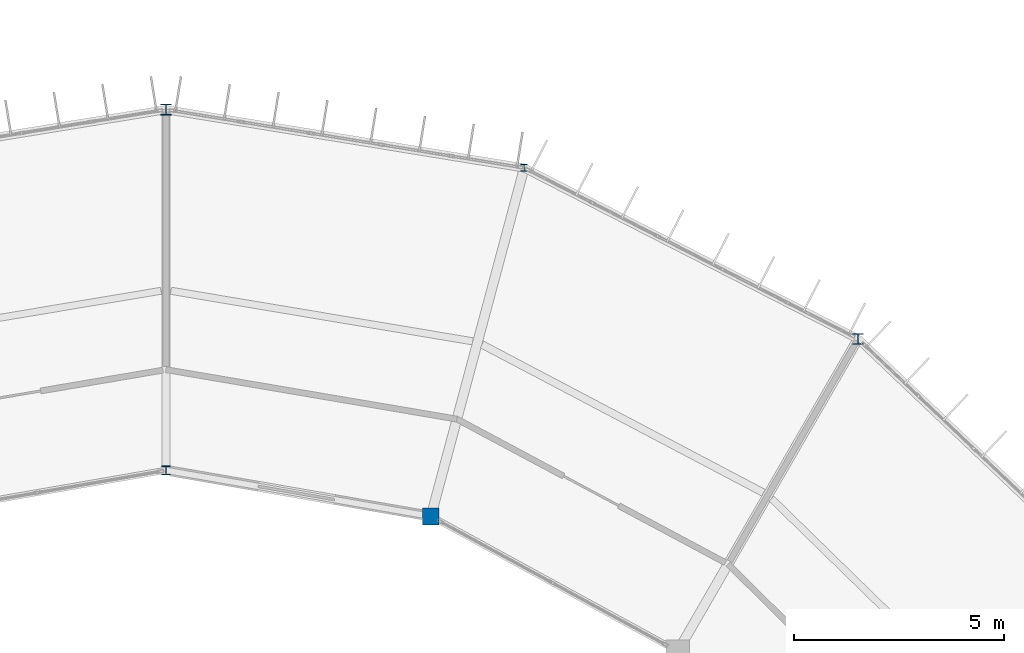
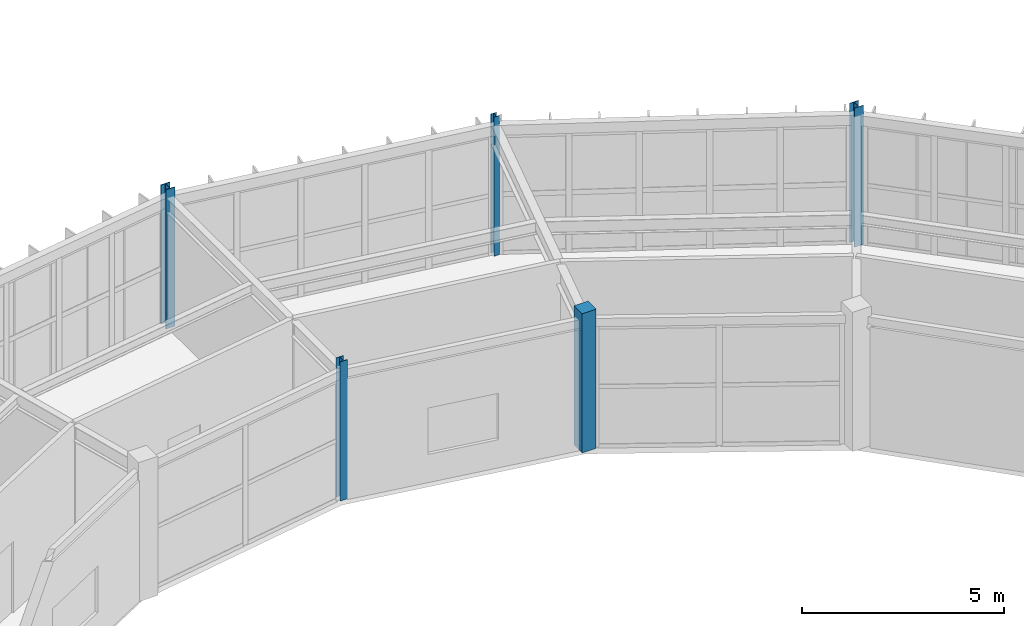
# One storey, part 17 of 130: 5 columns.
"""IFC4 building model written with IfcOpenShell, lengths in metres."""

from ifc_helpers import new_model, si_unit, direction, frame, origin, origin_2d, place, context, subcontext, project, spatial, rectangle, i_section, extrude, material, material_profile, profile_set, type_object, element, save


model = new_model("IFC4")

# Units and contexts
model_context = context("Model", 3, precision=1e-05, world=origin(), true_north=direction((0.0, 1.0)))
body_context = subcontext(model_context, "Body", "Model", "MODEL_VIEW")
ifc_project = project(units=[si_unit("LENGTHUNIT", "METRE"), si_unit("AREAUNIT", "SQUARE_METRE"), si_unit("VOLUMEUNIT", "CUBIC_METRE"), si_unit("PLANEANGLEUNIT", "RADIAN"), si_unit("MASSUNIT", "GRAM", prefix="KILO")], contexts=[model_context])

# Site, building, storey
site_placement = place(None, origin())
site = spatial("IfcSite", under=ifc_project, at=site_placement, CompositionType="ELEMENT")
building_placement = place(site_placement, origin())
building = spatial("IfcBuilding", under=site, at=building_placement, Name="Karori Crest Natural Sciences Institute", CompositionType="ELEMENT")
storey_placement = place(building_placement, frame((0.0, 0.0, 17.5)))
storey = spatial("IfcBuildingStorey", under=building, at=storey_placement, Name="L04", CompositionType="ELEMENT", Elevation=17.5)

# Columns
ifc_material_1 = material(Name="Structural steel AS/NZS 3679.1 Grade 350", Category="steel")
ifc_material_profile_1 = material_profile(ifc_material_1, i_section(OverallWidth=0.256103515625, OverallDepth=0.260009765625, WebThickness=0.010498046875, FlangeThickness=0.017333984375, FilletRadius=0.013916015625, at=origin_2d()), Name="250UC89.5")
ifc_profile_set_1 = profile_set([ifc_material_profile_1], Name="Structural steel AS/NZS 3679.1 Grade 350")
column_type_1 = type_object("IfcColumnType", Name="CT-06", PredefinedType="COLUMN", material=ifc_profile_set_1)
column_1_placement = place(storey_placement, frame((66.39990234375, 90.699951171875, 0.0), z_axis=(0.0, 0.0, 1.0), x_axis=(1.0, 0.0, 0.0)))
element("IfcColumn", 1, at=column_1_placement, inside=storey, type_object=column_type_1, Name="Column C-0119", PredefinedType="COLUMN", context=body_context, shape_type="SweptSolid", body=[
    extrude(i_section(OverallWidth=0.256103515625, OverallDepth=0.260009765625, WebThickness=0.010498046875, FlangeThickness=0.017333984375, FilletRadius=0.013916015625, at=origin_2d()), origin(), (0.0, 0.0, 1.0), 4.199951171875),
])
ifc_material_profile_2 = material_profile(ifc_material_1, i_section(OverallWidth=0.25390625, OverallDepth=0.25390625, WebThickness=0.008544921875, FlangeThickness=0.01416015625, FilletRadius=0.013916015625, at=origin_2d()), Name="250UC72.9")
ifc_profile_set_2 = profile_set([ifc_material_profile_2], Name="Structural steel AS/NZS 3679.1 Grade 350")
column_type_2 = type_object("IfcColumnType", Name="CT-07", PredefinedType="COLUMN", material=ifc_profile_set_2)
column_2_placement = place(storey_placement, frame((82.89990234375, 85.23388671875, 0.0), z_axis=(0.0, 0.0, 1.0), x_axis=(1.0, 0.0, 0.0)))
element("IfcColumn", 2, at=column_2_placement, inside=storey, type_object=column_type_2, Name="Column C-0083", PredefinedType="COLUMN", context=body_context, shape_type="SweptSolid", body=[
    extrude(i_section(OverallWidth=0.25390625, OverallDepth=0.25390625, WebThickness=0.008544921875, FlangeThickness=0.01416015625, FilletRadius=0.013916015625, at=origin_2d()), origin(), (0.0, 0.0, 1.0), 4.199951171875),
])
ifc_material_profile_3 = material_profile(ifc_material_1, i_section(OverallWidth=0.205078125, OverallDepth=0.2099609375, WebThickness=0.00927734375, FlangeThickness=0.01416015625, FilletRadius=0.010986328125, at=origin_2d()), Name="200UC59.5")
ifc_profile_set_3 = profile_set([ifc_material_profile_3], Name="Structural steel AS/NZS 3679.1 Grade 350")
column_type_3 = type_object("IfcColumnType", Name="CT-08", PredefinedType="COLUMN", material=ifc_profile_set_3)
column_3_placement = place(storey_placement, frame((66.39990234375, 82.10009765625, 0.0), z_axis=(0.0, 0.0, 1.0), x_axis=(1.0, 0.0, 0.0)))
element("IfcColumn", 3, at=column_3_placement, inside=storey, type_object=column_type_3, Name="Column C-0120", PredefinedType="COLUMN", context=body_context, shape_type="SweptSolid", body=[
    extrude(i_section(OverallWidth=0.205078125, OverallDepth=0.2099609375, WebThickness=0.00927734375, FlangeThickness=0.01416015625, FilletRadius=0.010986328125, at=origin_2d()), origin(), (0.0, 0.0, 1.0), 4.199951171875),
])
ifc_material_profile_4 = material_profile(ifc_material_1, i_section(OverallWidth=0.154052734375, OverallDepth=0.162109375, WebThickness=0.008056640625, FlangeThickness=0.011474609375, FilletRadius=0.009033203125, at=origin_2d()), Name="150UC37.2")
ifc_profile_set_4 = profile_set([ifc_material_profile_4], Name="Structural steel AS/NZS 3679.1 Grade 350")
column_type_4 = type_object("IfcColumnType", Name="CT-26", PredefinedType="COLUMN", material=ifc_profile_set_4)
column_4_placement = place(storey_placement, frame((74.94091796875, 89.309814453125, 0.0), z_axis=(0.0, 0.0, 1.0), x_axis=(1.0, 0.0, 0.0)))
element("IfcColumn", 4, at=column_4_placement, inside=storey, type_object=column_type_4, Name="Column C-0101", PredefinedType="COLUMN", context=body_context, shape_type="SweptSolid", body=[
    extrude(i_section(OverallWidth=0.154052734375, OverallDepth=0.162109375, WebThickness=0.008056640625, FlangeThickness=0.011474609375, FilletRadius=0.009033203125, at=origin_2d()), origin(), (0.0, 0.0, 1.0), 4.199951171875),
])
ifc_material_2 = material(Name="Concrete 50 MPa", Category="concrete")
ifc_material_profile_5 = material_profile(ifc_material_2, rectangle(XDim=0.39990234375, YDim=0.39990234375, at=origin_2d()), Name="RC400x400")
ifc_profile_set_5 = profile_set([ifc_material_profile_5], Name="Concrete 50 MPa")
column_type_5 = type_object("IfcColumnType", Name="CT-31", PredefinedType="PILASTER", material=ifc_profile_set_5)
column_5_placement = place(storey_placement, frame((72.715087890625, 81.002685546875, 0.0), z_axis=(0.0, 0.0, 1.0), x_axis=(1.0, 0.0, 0.0)))
element("IfcColumn", 5, at=column_5_placement, inside=storey, type_object=column_type_5, Name="Column C-0102", PredefinedType="PILASTER", context=body_context, shape_type="SweptSolid", body=[
    extrude(rectangle(XDim=0.39990234375, YDim=0.39990234375, at=origin_2d()), origin(), (0.0, 0.0, 1.0), 4.199951171875),
])

save(model, "model.ifc")
